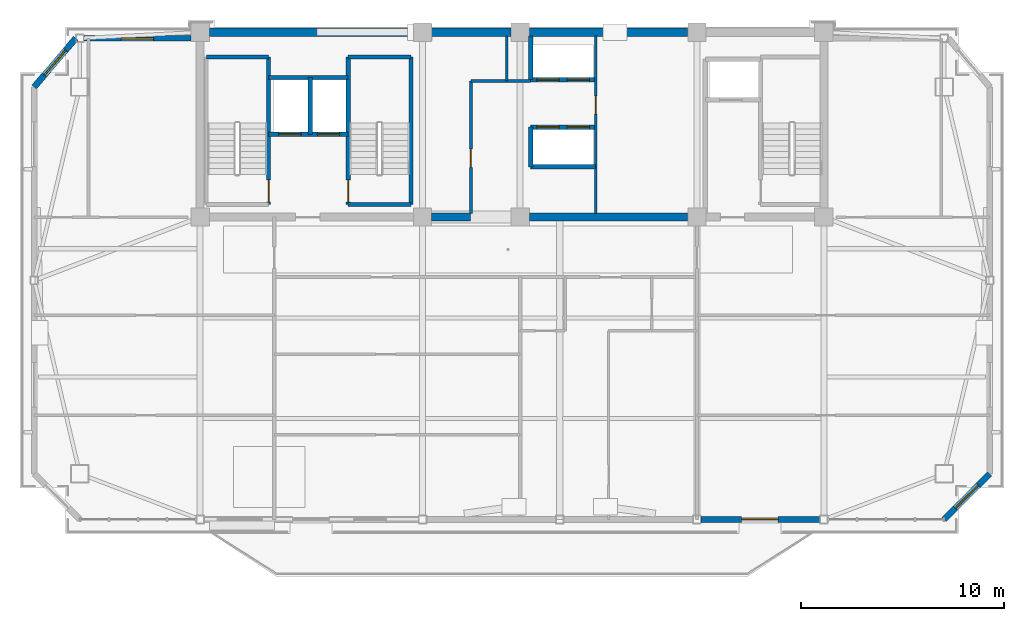
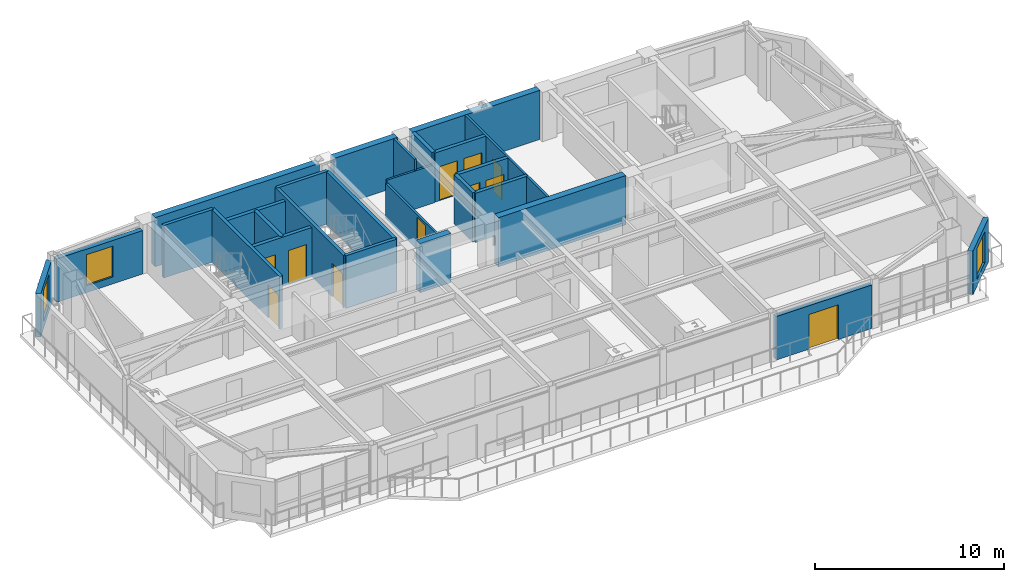
# One storey, part 7 of 12: 27 walls, 11 doors, 3 windows, 14 openings.
"""IFC4 building model written with IfcOpenShell, lengths in metres."""

import ifcopenshell
import ifcopenshell.guid

model = None  # the IFC model being written
_history = None  # IfcOwnerHistory: only IFC2X3 demands one
_inside = {}  # id of a spatial element -> (the spatial element, [elements in it])
_under = {}  # id of a project, library or spatial element -> (it, [spatial elements below it])
_declared = {}  # id of a project -> (the project, [libraries it declares])
_typed = {}  # id of a type object -> (the type object, [elements of that type])
_made_of = {}  # id of a material, layer set ... -> (it, [elements and type objects made of it])


def new_model(schema):
    """Start an empty IFC model of exactly this schema.

    Asked for "IFC4X3", IfcOpenShell would pick the latest addendum, in which some entities
    have other attributes; the version numbers below select the first issue.
    IFC2X3 requires an IfcOwnerHistory on every rooted entity: one is made here for all.
    """
    global model, _history
    if schema == "IFC4X3":
        model = ifcopenshell.file(schema_version=(4, 3, 0, 0))
    else:
        model = ifcopenshell.file(schema=schema)
    _inside.clear()
    _under.clear()
    _declared.clear()
    _typed.clear()
    _made_of.clear()
    _history = None
    if model.schema == "IFC2X3":
        org = make("IfcOrganization", Name="unknown")
        user = make(
            "IfcPersonAndOrganization",
            ThePerson=make("IfcPerson", FamilyName="unknown"),
            TheOrganization=org,
        )
        app = make(
            "IfcApplication",
            ApplicationDeveloper=org,
            Version="unknown",
            ApplicationFullName="unknown",
            ApplicationIdentifier="unknown",
        )
        _history = make(
            "IfcOwnerHistory",
            OwningUser=user,
            OwningApplication=app,
            ChangeAction="ADDED",
            CreationDate=0,
        )
    return model


def make(cls, **values):
    """One entity of the class cls with the attributes given. An attribute that is None is left unset."""
    return model.create_entity(
        cls, **{name: value for name, value in values.items() if value is not None}
    )


def rooted(cls, **values):
    """An entity with a GlobalId (a new one), such as an element, a storey or a relation."""
    return make(cls, GlobalId=ifcopenshell.guid.new(), OwnerHistory=_history, **values)


def si_unit(unit_type, name, prefix=None):
    """IfcSIUnit, for example si_unit("LENGTHUNIT", "METRE", prefix="MILLI")."""
    return make("IfcSIUnit", UnitType=unit_type, Prefix=prefix, Name=name)


def assignment(units):
    """IfcUnitAssignment: the units of a project."""
    return None if units is None else make("IfcUnitAssignment", Units=units)


def point(xyz):
    """IfcCartesianPoint."""
    return None if xyz is None else make("IfcCartesianPoint", Coordinates=xyz)


def direction(xyz):
    """IfcDirection."""
    return None if xyz is None else make("IfcDirection", DirectionRatios=xyz)


def frame(location, z_axis=None, x_axis=None):
    """IfcAxis2Placement3D, a coordinate frame: its origin and axes. An axis left out is left unset."""
    return make(
        "IfcAxis2Placement3D",
        Location=point(location),
        Axis=direction(z_axis),
        RefDirection=direction(x_axis),
    )


def frame_2d(location, x_axis=None):
    """IfcAxis2Placement2D, a coordinate frame in the plane: its origin and x axis."""
    return make(
        "IfcAxis2Placement2D", Location=point(location), RefDirection=direction(x_axis)
    )


def origin():
    """The frame at (0, 0, 0) with its axes left unset."""
    return frame((0.0, 0.0, 0.0))


def place(relative_to, where):
    """IfcLocalPlacement: puts the frame where relative to a parent placement (None: the world)."""
    return make(
        "IfcLocalPlacement", PlacementRelTo=relative_to, RelativePlacement=where
    )


def context(
    kind, dimensions, precision=None, world=None, true_north=None, identifier=None
):
    """IfcGeometricRepresentationContext, for example the 3D "Model" context."""
    return make(
        "IfcGeometricRepresentationContext",
        ContextIdentifier=identifier,
        ContextType=kind,
        CoordinateSpaceDimension=dimensions,
        Precision=precision,
        WorldCoordinateSystem=world,
        TrueNorth=true_north,
    )


def subcontext(parent, identifier, kind, view, scale=None):
    """IfcGeometricRepresentationSubContext, for example "Body" below "Model"."""
    return make(
        "IfcGeometricRepresentationSubContext",
        ContextIdentifier=identifier,
        ContextType=kind,
        ParentContext=parent,
        TargetScale=scale,
        TargetView=view,
    )


def project(units=None, contexts=None):
    """IfcProject with its units and contexts."""
    return rooted(
        "IfcProject",
        Name="project",
        RepresentationContexts=contexts,
        UnitsInContext=assignment(units),
    )


def spatial(cls, under=None, at=None, **own):
    """A site, building, storey or space (cls), placed at a placement, below another one or the project."""
    s = rooted(cls, ObjectPlacement=at, **own)
    if under is not None:
        _under.setdefault(under.id(), (under, []))[1].append(s)
    return s


def profile(cls, at=None, kind="AREA", **sizes):
    """A parametric profile (cls). Its sizes go by their IFC names, for example OverallWidth=200.0."""
    return make(cls, ProfileType=kind, Position=at, **sizes)


def rectangle(**sizes):
    """IfcRectangleProfileDef."""
    return profile("IfcRectangleProfileDef", **sizes)


def extrude(swept, where, along, depth):
    """IfcExtrudedAreaSolid: the profile swept, set in the frame where, extruded along a direction by depth."""
    return make(
        "IfcExtrudedAreaSolid",
        SweptArea=swept,
        Position=where,
        ExtrudedDirection=direction(along),
        Depth=depth,
    )


def shape(context_of_items, identifier, shape_type, items):
    """IfcShapeRepresentation: the items that make up one representation, for example the "Body"."""
    return make(
        "IfcShapeRepresentation",
        ContextOfItems=context_of_items,
        RepresentationIdentifier=identifier,
        RepresentationType=shape_type,
        Items=items,
    )


def source(mapping_origin, context_of_items, identifier, shape_type, items):
    """IfcRepresentationMap: a shape defined once, which mapped items show again and again."""
    return make(
        "IfcRepresentationMap",
        MappingOrigin=mapping_origin,
        MappedRepresentation=shape(context_of_items, identifier, shape_type, items),
    )


def transform(
    local_origin,
    x_axis=None,
    y_axis=None,
    z_axis=None,
    scale=None,
    scale2=None,
    scale3=None,
    uniform=True,
):
    """IfcCartesianTransformationOperator3D, or its non-uniform kind. x_axis, y_axis, z_axis: its Axis1, 2, 3."""
    if uniform:
        return make(
            "IfcCartesianTransformationOperator3D",
            Axis1=direction(x_axis),
            Axis2=direction(y_axis),
            LocalOrigin=point(local_origin),
            Scale=scale,
            Axis3=direction(z_axis),
        )
    return make(
        "IfcCartesianTransformationOperator3DnonUniform",
        Axis1=direction(x_axis),
        Axis2=direction(y_axis),
        LocalOrigin=point(local_origin),
        Scale=scale,
        Axis3=direction(z_axis),
        Scale2=scale2,
        Scale3=scale3,
    )


def mapped(mapping_source, mapping_target):
    """IfcMappedItem: shows the shape of a source again, moved by a transform."""
    return make(
        "IfcMappedItem", MappingSource=mapping_source, MappingTarget=mapping_target
    )


def material(Name=None, Category=None):
    """IfcMaterial."""
    return make("IfcMaterial", Name=Name, Category=Category)


def layer(
    of_material, thickness, ventilated=None, Name=None, Category=None, Priority=None
):
    """IfcMaterialLayer: one layer of a wall or slab, of a material (None: an air gap)."""
    return make(
        "IfcMaterialLayer",
        Material=of_material,
        LayerThickness=thickness,
        IsVentilated=ventilated,
        Name=Name,
        Category=Category,
        Priority=Priority,
    )


def layer_set(layers, Name=None):
    """IfcMaterialLayerSet."""
    return make("IfcMaterialLayerSet", MaterialLayers=layers, LayerSetName=Name)


def made_of(thing, what):
    """Note that an element or type object is made of a material, layer set ...; save() writes the relation."""
    if what is not None:
        _made_of.setdefault(what.id(), (what, []))[1].append(thing)
    return thing


def type_object(cls, material=None, **own):
    """A type object (cls), such as IfcWallType, which elements share."""
    return made_of(rooted(cls, **own), material)


def element(
    cls,
    number,
    at=None,
    inside=None,
    cuts=None,
    type_object=None,
    material=None,
    context=None,
    identifier="Body",
    shape_type=None,
    held_by="IfcProductDefinitionShape",
    body=None,
    shapes=None,
    **own,
):
    """One element of the class cls, such as IfcWall. Its Tag is "e" and its number.

    at: its placement. inside: the storey or other place that contains it. cuts: it is an
    opening in that element (IfcRelVoidsElement). A single representation is given by context,
    identifier, shape_type and body (its items); several are given by shapes. held_by: the class
    of the entity that holds the representations. save() writes the other relations.
    """
    e = rooted(cls, Tag="e%d" % number, ObjectPlacement=at, **own)
    if body is not None:
        shapes = [shape(context, identifier, shape_type, body)]
    if shapes is not None:
        e.Representation = make(held_by, Representations=shapes)
    if inside is not None:
        _inside.setdefault(inside.id(), (inside, []))[1].append(e)
    if cuts is not None:
        rooted(
            "IfcRelVoidsElement", RelatingBuildingElement=cuts, RelatedOpeningElement=e
        )
    if type_object is not None:
        _typed.setdefault(type_object.id(), (type_object, []))[1].append(e)
    return made_of(e, material)


def fill(opening, filler):
    """IfcRelFillsElement: the door or window that sits in an opening."""
    return rooted(
        "IfcRelFillsElement",
        RelatingOpeningElement=opening,
        RelatedBuildingElement=filler,
    )


def aggregate(whole, parts):
    """IfcRelAggregates: a whole, such as a stair, and the parts it consists of."""
    return rooted("IfcRelAggregates", RelatingObject=whole, RelatedObjects=parts)


def save(model, path):
    """Write the relations noted so far, then the file.

    IfcRelAggregates (storeys below a building ...), IfcRelContainedInSpatialStructure (elements
    in a storey), IfcRelDefinesByType, IfcRelAssociatesMaterial and IfcRelDeclares: one each for
    every whole, place, type object, material and project.
    """
    for whole, parts in _under.values():
        aggregate(whole, parts)
    for where, things in _inside.values():
        rooted(
            "IfcRelContainedInSpatialStructure",
            RelatedElements=things,
            RelatingStructure=where,
        )
    for kind, things in _typed.values():
        rooted("IfcRelDefinesByType", RelatedObjects=things, RelatingType=kind)
    for what, things in _made_of.values():
        rooted("IfcRelAssociatesMaterial", RelatedObjects=things, RelatingMaterial=what)
    for by, libraries in _declared.values():
        rooted("IfcRelDeclares", RelatingContext=by, RelatedDefinitions=libraries)
    model.write(path)


model = new_model("IFC4")

# Units and contexts
model_context = context("Model", 3, precision=1e-05, world=origin(), true_north=direction((0.0, 1.0)))
body_context = subcontext(model_context, "Body", "Model", "MODEL_VIEW")
ifc_project = project(units=[si_unit("LENGTHUNIT", "METRE"), si_unit("AREAUNIT", "SQUARE_METRE"), si_unit("VOLUMEUNIT", "CUBIC_METRE"), si_unit("PLANEANGLEUNIT", "RADIAN"), si_unit("MASSUNIT", "GRAM", prefix="KILO")], contexts=[model_context])

# Site, building, storey
site_placement = place(None, origin())
site = spatial("IfcSite", under=ifc_project, at=site_placement, CompositionType="ELEMENT")
building_placement = place(site_placement, origin())
building = spatial("IfcBuilding", under=site, at=building_placement, Name="Giltprow Tower", CompositionType="ELEMENT")
storey_placement = place(building_placement, frame((0.0, 0.0, 339.10009765625)))
storey = spatial("IfcBuildingStorey", under=building, at=storey_placement, Name="L88", CompositionType="ELEMENT", Elevation=339.10009765625)

# Wall, opening, window
ifc_material_1 = material(Name="Precast concrete C40", Category="concrete")
ifc_layer_1 = layer(ifc_material_1, 0.300048828125, Name="Precast concrete C40")
ifc_layer_set_1 = layer_set([ifc_layer_1], Name="Precast concrete C40")
wall_type_1 = type_object("IfcWallType", Name="EW-NOTCH-CHAMFER-300", PredefinedType="SOLIDWALL", material=ifc_layer_set_1)
wall_1_placement = place(storey_placement, frame((56.468994140625, 22.568115234375, 0.0), z_axis=(0.0, 0.0, 1.0), x_axis=(0.707145211947, 0.707068348337, 0.0)))
wall_1 = element("IfcWall", 1, at=wall_1_placement, inside=storey, type_object=wall_type_1, Name="L88 Corner Notch Wall SE", PredefinedType="SOLIDWALL", context=body_context, shape_type="SweptSolid", body=[
    extrude(rectangle(XDim=3.17626953125, YDim=0.300048828125, at=frame_2d((1.588134765625, 0.0))), origin(), (0.0, 0.0, 1.0), 2.81494140625),
])
opening_1_placement = place(wall_1_placement, frame((0.7880859375, 0.0, 0.449951171875)))
opening_1 = element("IfcOpeningElement", 2, at=opening_1_placement, cuts=wall_1, Name="Opening WN17", PredefinedType="OPENING", context=body_context, shape_type="SweptSolid", body=[
    extrude(rectangle(XDim=1.60009765625, YDim=2.0, at=frame_2d((0.800048828125, 1.0))), frame((0.0, 0.159912109375, 0.0), z_axis=(0.0, -1.0, 0.0), x_axis=(1.0, 0.0, 0.0)), (0.0, 0.0, 1.0), 0.320068359375),
])
ifc_material_2 = material(Name="Insulated glass", Category="glass")
window_type = type_object("IfcWindowType", Name="WN-COR-1600x2000", PartitioningType="SINGLE_PANEL", PredefinedType="WINDOW", material=ifc_material_2)
shared_shape_1 = source(origin(), body_context, "Body", "SweptSolid", [
    extrude(rectangle(XDim=1.60009765625, YDim=2.0, at=frame_2d((0.800048828125, 1.0))), frame((0.0, 0.030029296875, 0.0), z_axis=(0.0, -1.0, 0.0), x_axis=(1.0, 0.0, 0.0)), (0.0, 0.0, 1.0), 0.06005859375),
])
window_1_placement = place(opening_1_placement, origin())
window_1 = element("IfcWindow", 3, at=window_1_placement, inside=storey, type_object=window_type, Name="L88 Corner Notch Window SE", OverallHeight=2.0, OverallWidth=1.60009765625, PartitioningType="SINGLE_PANEL", PredefinedType="WINDOW", context=body_context, shape_type="MappedRepresentation", body=[
    mapped(shared_shape_1, transform((0.0, 0.0, 0.0), x_axis=(1.0, 0.0, 0.0), y_axis=(0.0, 1.0, 0.0), z_axis=(0.0, 0.0, 1.0), scale=1.0)),
])
fill(opening_1, window_1)

wall_2_placement = place(storey_placement, frame((13.73095703125, 46.25, 0.0), z_axis=(0.0, 0.0, 1.0), x_axis=(-0.64936076944, -0.760480500153, 0.0)))
wall_2 = element("IfcWall", 4, at=wall_2_placement, inside=storey, type_object=wall_type_1, Name="L88 Corner Notch Wall NW", PredefinedType="SOLIDWALL", context=body_context, shape_type="SweptSolid", body=[
    extrude(rectangle(XDim=3.150634765625, YDim=0.300048828125, at=frame_2d((1.5751953125, 0.0))), origin(), (0.0, 0.0, 1.0), 2.81494140625),
])
opening_2_placement = place(wall_2_placement, frame((0.77490234375, 0.0, 0.449951171875)))
opening_2 = element("IfcOpeningElement", 5, at=opening_2_placement, cuts=wall_2, Name="Opening WN17", PredefinedType="OPENING", context=body_context, shape_type="SweptSolid", body=[
    extrude(rectangle(XDim=1.60009765625, YDim=2.0, at=frame_2d((0.800048828125, 1.0))), frame((0.0, 0.159912109375, 0.0), z_axis=(0.0, -1.0, 0.0), x_axis=(1.0, 0.0, 0.0)), (0.0, 0.0, 1.0), 0.320068359375),
])
window_2_placement = place(opening_2_placement, origin())
window_2 = element("IfcWindow", 6, at=window_2_placement, inside=storey, type_object=window_type, Name="L88 Corner Notch Window NW", OverallHeight=2.0, OverallWidth=1.60009765625, PartitioningType="SINGLE_PANEL", PredefinedType="WINDOW", context=body_context, shape_type="MappedRepresentation", body=[
    mapped(shared_shape_1, transform((0.0, 0.0, 0.0), x_axis=(1.0, 0.0, 0.0), y_axis=(0.0, 1.0, 0.0), z_axis=(0.0, 0.0, 1.0), scale=1.0)),
])
fill(opening_2, window_2)

# Wall, opening, door
ifc_layer_2 = layer(ifc_material_1, 0.280029296875, Name="Precast concrete C40")
ifc_layer_set_2 = layer_set([ifc_layer_2], Name="Precast concrete C40")
wall_type_2 = type_object("IfcWallType", Name="EW-TOW-BRONZE-280", PredefinedType="SOLIDWALL", material=ifc_layer_set_2)
wall_3_placement = place(storey_placement, frame((44.5, 22.568115234375, 0.0), z_axis=(0.0, 0.0, 1.0), x_axis=(1.0, 0.0, 0.0)))
wall_3 = element("IfcWall", 7, at=wall_3_placement, inside=storey, type_object=wall_type_2, Name="L88 South Expressed Frame Wall 5", PredefinedType="SOLIDWALL", context=body_context, shape_type="SweptSolid", body=[
    extrude(rectangle(XDim=5.85009765625, YDim=0.280029296875, at=frame_2d((2.925048828125, 0.0))), origin(), (0.0, 0.0, 1.0), 2.81494140625),
])
opening_3_placement = place(wall_3_placement, frame((2.0, 0.0, 0.0)))
opening_3 = element("IfcOpeningElement", 8, at=opening_3_placement, cuts=wall_3, Name="Opening ED25", PredefinedType="OPENING", context=body_context, shape_type="SweptSolid", body=[
    extrude(rectangle(XDim=1.800048828125, YDim=2.25, at=frame_2d((0.89990234375, 1.125))), frame((0.0, 0.14990234375, 0.0), z_axis=(0.0, -1.0, 0.0), x_axis=(1.0, 0.0, 0.0)), (0.0, 0.0, 1.0), 0.300048828125),
])
ifc_material_3 = material(Name="Anodized bronze and glass", Category="glass")
door_type_1 = type_object("IfcDoorType", Name="DR-BALC-SLIDE-1800", OperationType="SLIDING_TO_LEFT", PredefinedType="DOOR", material=ifc_material_3)
shared_shape_2 = source(origin(), body_context, "Body", "SweptSolid", [
    extrude(rectangle(XDim=1.800048828125, YDim=2.25, at=frame_2d((0.89990234375, 1.125))), frame((0.0, 0.02490234375, 0.0), z_axis=(0.0, -1.0, 0.0), x_axis=(1.0, 0.0, 0.0)), (0.0, 0.0, 1.0), 0.050048828125),
])
door_1_placement = place(opening_3_placement, origin())
door_1 = element("IfcDoor", 9, at=door_1_placement, inside=storey, type_object=door_type_1, Name="L88 Waterfront Balcony Sliding Door 2", OperationType="SLIDING_TO_LEFT", OverallHeight=2.25, OverallWidth=1.800048828125, PredefinedType="DOOR", context=body_context, shape_type="MappedRepresentation", body=[
    mapped(shared_shape_2, transform((0.0, 0.0, 0.0), x_axis=(1.0, 0.0, 0.0), y_axis=(0.0, 1.0, 0.0), z_axis=(0.0, 0.0, 1.0), scale=1.0)),
])
fill(opening_3, door_1)

# Wall, opening, window
wall_4_placement = place(storey_placement, frame((14.131103515625, 46.25, 0.0), z_axis=(0.0, 0.0, 1.0), x_axis=(1.0, 0.0, 0.0)))
wall_4 = element("IfcWall", 10, at=wall_4_placement, inside=storey, type_object=wall_type_2, Name="L88 North-West Wing Wall", PredefinedType="SOLIDWALL", context=body_context, shape_type="SweptSolid", body=[
    extrude(rectangle(XDim=5.268798828125, YDim=0.280029296875, at=frame_2d((2.63427734375, 0.0))), origin(), (0.0, 0.0, 1.0), 2.81494140625),
])
opening_4_placement = place(wall_4_placement, frame((1.833984375, 0.0, 0.449951171875)))
opening_4 = element("IfcOpeningElement", 11, at=opening_4_placement, cuts=wall_4, Name="Opening WN17", PredefinedType="OPENING", context=body_context, shape_type="SweptSolid", body=[
    extrude(rectangle(XDim=1.60009765625, YDim=2.0, at=frame_2d((0.800048828125, 1.0))), frame((0.0, 0.14990234375, 0.0), z_axis=(0.0, -1.0, 0.0), x_axis=(1.0, 0.0, 0.0)), (0.0, 0.0, 1.0), 0.300048828125),
])
window_3_placement = place(opening_4_placement, origin())
window_3 = element("IfcWindow", 12, at=window_3_placement, inside=storey, type_object=window_type, Name="L88 North-West Window", OverallHeight=2.0, OverallWidth=1.60009765625, PartitioningType="SINGLE_PANEL", PredefinedType="WINDOW", context=body_context, shape_type="MappedRepresentation", body=[
    mapped(shared_shape_1, transform((0.0, 0.0, 0.0), x_axis=(1.0, 0.0, 0.0), y_axis=(0.0, 1.0, 0.0), z_axis=(0.0, 0.0, 1.0), scale=1.0)),
])
fill(opening_4, window_3)

# Wall, openings, doors
ifc_material_4 = material(Name="Concrete C40", Category="concrete")
ifc_layer_3 = layer(ifc_material_4, 0.219970703125, Name="Concrete C40")
ifc_layer_set_3 = layer_set([ifc_layer_3], Name="Concrete C40")
wall_type_3 = type_object("IfcWallType", Name="IW-SHAFT-220", PredefinedType="SOLIDWALL", material=ifc_layer_set_3)
wall_5_placement = place(storey_placement, frame((23.219970703125, 41.52001953125, 0.0), z_axis=(0.0, 0.0, 1.0), x_axis=(1.0, 0.0, 0.0)))
wall_5 = element("IfcWall", 13, at=wall_5_placement, inside=storey, type_object=wall_type_3, Name="L88 FFL1 and Service Lift Front Wall", PredefinedType="SOLIDWALL", context=body_context, shape_type="SweptSolid", body=[
    extrude(rectangle(XDim=3.919921875, YDim=0.219970703125, at=frame_2d((1.9599609375, 0.0))), origin(), (0.0, 0.0, 1.0), 3.184814453125),
])
opening_5_placement = place(wall_5_placement, frame((0.5, 0.0, 0.0)))
opening_5 = element("IfcOpeningElement", 14, at=opening_5_placement, cuts=wall_5, Name="Opening LD-11", PredefinedType="OPENING", context=body_context, shape_type="SweptSolid", body=[
    extrude(rectangle(XDim=1.10009765625, YDim=2.199951171875, at=frame_2d((0.550048828125, 1.10009765625))), frame((0.0, 0.119873046875, 0.0), z_axis=(0.0, -1.0, 0.0), x_axis=(1.0, 0.0, 0.0)), (0.0, 0.0, 1.0), 0.239990234375),
])
opening_6_placement = place(wall_5_placement, frame((2.39990234375, 0.0, 0.0)))
opening_6 = element("IfcOpeningElement", 15, at=opening_6_placement, cuts=wall_5, Name="Opening LD-11", PredefinedType="OPENING", context=body_context, shape_type="SweptSolid", body=[
    extrude(rectangle(XDim=1.10009765625, YDim=2.199951171875, at=frame_2d((0.550048828125, 1.10009765625))), frame((0.0, 0.119873046875, 0.0), z_axis=(0.0, -1.0, 0.0), x_axis=(1.0, 0.0, 0.0)), (0.0, 0.0, 1.0), 0.239990234375),
])
ifc_material_5 = material(Name="Stainless steel", Category="steel")
door_type_2 = type_object("IfcDoorType", Name="DR-LIFT-LD1100", OperationType="SLIDING_TO_LEFT", PredefinedType="DOOR", material=ifc_material_5)
shared_shape_3 = source(origin(), body_context, "Body", "SweptSolid", [
    extrude(rectangle(XDim=1.10009765625, YDim=2.199951171875, at=frame_2d((0.550048828125, 1.10009765625))), frame((0.0, 0.02490234375, 0.0), z_axis=(0.0, -1.0, 0.0), x_axis=(1.0, 0.0, 0.0)), (0.0, 0.0, 1.0), 0.050048828125),
])
door_2_placement = place(opening_5_placement, origin())
door_2 = element("IfcDoor", 16, at=door_2_placement, inside=storey, type_object=door_type_2, Name="L88 FFL1 Landing Door", OperationType="SLIDING_TO_LEFT", OverallHeight=2.199951171875, OverallWidth=1.10009765625, PredefinedType="DOOR", context=body_context, shape_type="MappedRepresentation", body=[
    mapped(shared_shape_3, transform((0.0, 0.0, 0.0), x_axis=(1.0, 0.0, 0.0), y_axis=(0.0, 1.0, 0.0), z_axis=(0.0, 0.0, 1.0), scale=1.0)),
])
fill(opening_5, door_2)
door_3_placement = place(opening_6_placement, origin())
door_3 = element("IfcDoor", 17, at=door_3_placement, inside=storey, type_object=door_type_2, Name="L88 SVL1 Landing Door", OperationType="SLIDING_TO_LEFT", OverallHeight=2.199951171875, OverallWidth=1.10009765625, PredefinedType="DOOR", context=body_context, shape_type="MappedRepresentation", body=[
    mapped(shared_shape_3, transform((0.0, 0.0, 0.0), x_axis=(1.0, 0.0, 0.0), y_axis=(0.0, 1.0, 0.0), z_axis=(0.0, 0.0, 1.0), scale=1.0)),
])
fill(opening_6, door_3)

# Walls
wall_6_placement = place(storey_placement, frame((25.260009765625, 41.52001953125, 0.0), z_axis=(0.0, 0.0, 1.0), x_axis=(0.0, 1.0, 0.0)))
element("IfcWall", 18, at=wall_6_placement, inside=storey, type_object=wall_type_3, Name="L88 FFL1-SVL1 Shaft Divider", PredefinedType="SOLIDWALL", context=body_context, shape_type="SweptSolid", body=[
    extrude(rectangle(XDim=2.800048828125, YDim=0.219970703125, at=frame_2d((1.39990234375, 0.0))), origin(), (0.0, 0.0, 1.0), 3.184814453125),
])
wall_7_placement = place(storey_placement, frame((23.219970703125, 44.320068359375, 0.0), z_axis=(0.0, 0.0, 1.0), x_axis=(1.0, 0.0, 0.0)))
element("IfcWall", 19, at=wall_7_placement, inside=storey, type_object=wall_type_3, Name="L88 FFL1-SVL1 Back Shaft Wall", PredefinedType="SOLIDWALL", context=body_context, shape_type="SweptSolid", body=[
    extrude(rectangle(XDim=3.919921875, YDim=0.219970703125, at=frame_2d((1.9599609375, 0.0))), origin(), (0.0, 0.0, 1.0), 3.184814453125),
])

# Wall, openings, doors
wall_8_placement = place(storey_placement, frame((36.1201171875, 44.219970703125, 0.0), z_axis=(0.0, 0.0, 1.0), x_axis=(1.0, 0.0, 0.0)))
wall_8 = element("IfcWall", 20, at=wall_8_placement, inside=storey, type_object=wall_type_3, Name="L88 High-Rise Lift Shaft Front Wall N", PredefinedType="SOLIDWALL", context=body_context, shape_type="SweptSolid", body=[
    extrude(rectangle(XDim=3.199951171875, YDim=0.219970703125, at=frame_2d((1.60009765625, 0.0))), origin(), (0.0, 0.0, 1.0), 3.184814453125),
])
opening_7_placement = place(wall_8_placement, frame((0.300048828125, 0.0, 0.0)))
opening_7 = element("IfcOpeningElement", 21, at=opening_7_placement, cuts=wall_8, Name="Opening LD-11", PredefinedType="OPENING", context=body_context, shape_type="SweptSolid", body=[
    extrude(rectangle(XDim=1.10009765625, YDim=2.199951171875, at=frame_2d((0.550048828125, 1.10009765625))), frame((0.0, 0.119873046875, 0.0), z_axis=(0.0, -1.0, 0.0), x_axis=(1.0, 0.0, 0.0)), (0.0, 0.0, 1.0), 0.239990234375),
])
opening_8_placement = place(wall_8_placement, frame((1.7900390625, 0.0, 0.0)))
opening_8 = element("IfcOpeningElement", 22, at=opening_8_placement, cuts=wall_8, Name="Opening LD-11", PredefinedType="OPENING", context=body_context, shape_type="SweptSolid", body=[
    extrude(rectangle(XDim=1.10009765625, YDim=2.199951171875, at=frame_2d((0.550048828125, 1.10009765625))), frame((0.0, 0.119873046875, 0.0), z_axis=(0.0, -1.0, 0.0), x_axis=(1.0, 0.0, 0.0)), (0.0, 0.0, 1.0), 0.239990234375),
])
door_4_placement = place(opening_7_placement, origin())
door_4 = element("IfcDoor", 23, at=door_4_placement, inside=storey, type_object=door_type_2, Name="L88 PL-H1 Landing Door", OperationType="SLIDING_TO_LEFT", OverallHeight=2.199951171875, OverallWidth=1.10009765625, PredefinedType="DOOR", context=body_context, shape_type="MappedRepresentation", body=[
    mapped(shared_shape_3, transform((0.0, 0.0, 0.0), x_axis=(1.0, 0.0, 0.0), y_axis=(0.0, 1.0, 0.0), z_axis=(0.0, 0.0, 1.0), scale=1.0)),
])
fill(opening_7, door_4)
door_5_placement = place(opening_8_placement, origin())
door_5 = element("IfcDoor", 24, at=door_5_placement, inside=storey, type_object=door_type_2, Name="L88 PL-H2 Landing Door", OperationType="SLIDING_TO_LEFT", OverallHeight=2.199951171875, OverallWidth=1.10009765625, PredefinedType="DOOR", context=body_context, shape_type="MappedRepresentation", body=[
    mapped(shared_shape_3, transform((0.0, 0.0, 0.0), x_axis=(1.0, 0.0, 0.0), y_axis=(0.0, 1.0, 0.0), z_axis=(0.0, 0.0, 1.0), scale=1.0)),
])
fill(opening_8, door_5)

wall_9_placement = place(storey_placement, frame((36.1201171875, 41.8798828125, 0.0), z_axis=(0.0, 0.0, 1.0), x_axis=(1.0, 0.0, 0.0)))
wall_9 = element("IfcWall", 25, at=wall_9_placement, inside=storey, type_object=wall_type_3, Name="L88 High-Rise Lift Shaft Front Wall S", PredefinedType="SOLIDWALL", context=body_context, shape_type="SweptSolid", body=[
    extrude(rectangle(XDim=3.199951171875, YDim=0.219970703125, at=frame_2d((1.60009765625, 0.0))), origin(), (0.0, 0.0, 1.0), 3.184814453125),
])
opening_9_placement = place(wall_9_placement, frame((0.300048828125, 0.0, 0.0)))
opening_9 = element("IfcOpeningElement", 26, at=opening_9_placement, cuts=wall_9, Name="Opening LD-11", PredefinedType="OPENING", context=body_context, shape_type="SweptSolid", body=[
    extrude(rectangle(XDim=1.10009765625, YDim=2.199951171875, at=frame_2d((0.550048828125, 1.10009765625))), frame((0.0, 0.119873046875, 0.0), z_axis=(0.0, -1.0, 0.0), x_axis=(1.0, 0.0, 0.0)), (0.0, 0.0, 1.0), 0.239990234375),
])
opening_10_placement = place(wall_9_placement, frame((1.7900390625, 0.0, 0.0)))
opening_10 = element("IfcOpeningElement", 27, at=opening_10_placement, cuts=wall_9, Name="Opening LD-11", PredefinedType="OPENING", context=body_context, shape_type="SweptSolid", body=[
    extrude(rectangle(XDim=1.10009765625, YDim=2.199951171875, at=frame_2d((0.550048828125, 1.10009765625))), frame((0.0, 0.119873046875, 0.0), z_axis=(0.0, -1.0, 0.0), x_axis=(1.0, 0.0, 0.0)), (0.0, 0.0, 1.0), 0.239990234375),
])
door_6_placement = place(opening_9_placement, origin())
door_6 = element("IfcDoor", 28, at=door_6_placement, inside=storey, type_object=door_type_2, Name="L88 PL-H3 Landing Door", OperationType="SLIDING_TO_LEFT", OverallHeight=2.199951171875, OverallWidth=1.10009765625, PredefinedType="DOOR", context=body_context, shape_type="MappedRepresentation", body=[
    mapped(shared_shape_3, transform((0.0, 0.0, 0.0), x_axis=(1.0, 0.0, 0.0), y_axis=(0.0, 1.0, 0.0), z_axis=(0.0, 0.0, 1.0), scale=1.0)),
])
fill(opening_9, door_6)
door_7_placement = place(opening_10_placement, origin())
door_7 = element("IfcDoor", 29, at=door_7_placement, inside=storey, type_object=door_type_2, Name="L88 PL-H4 Landing Door", OperationType="SLIDING_TO_LEFT", OverallHeight=2.199951171875, OverallWidth=1.10009765625, PredefinedType="DOOR", context=body_context, shape_type="MappedRepresentation", body=[
    mapped(shared_shape_3, transform((0.0, 0.0, 0.0), x_axis=(1.0, 0.0, 0.0), y_axis=(0.0, 1.0, 0.0), z_axis=(0.0, 0.0, 1.0), scale=1.0)),
])
fill(opening_10, door_7)

# Walls
wall_10_placement = place(storey_placement, frame((36.1201171875, 39.919921875, 0.0), z_axis=(0.0, 0.0, 1.0), x_axis=(1.0, 0.0, 0.0)))
element("IfcWall", 30, at=wall_10_placement, inside=storey, type_object=wall_type_3, Name="L88 High-Rise South Lift Back Wall", PredefinedType="SOLIDWALL", context=body_context, shape_type="SweptSolid", body=[
    extrude(rectangle(XDim=3.199951171875, YDim=0.219970703125, at=frame_2d((1.60009765625, 0.0))), origin(), (0.0, 0.0, 1.0), 3.184814453125),
])
wall_11_placement = place(storey_placement, frame((36.1201171875, 39.919921875, 0.0), z_axis=(0.0, 0.0, 1.0), x_axis=(0.0, 1.0, 0.0)))
element("IfcWall", 31, at=wall_11_placement, inside=storey, type_object=wall_type_3, Name="L88 High-Rise South Lift West Closure", PredefinedType="SOLIDWALL", context=body_context, shape_type="SweptSolid", body=[
    extrude(rectangle(XDim=1.9599609375, YDim=0.219970703125, at=frame_2d((0.97998046875, 0.0))), origin(), (0.0, 0.0, 1.0), 3.184814453125),
])
wall_12_placement = place(storey_placement, frame((36.1201171875, 44.219970703125, 0.0), z_axis=(0.0, 0.0, 1.0), x_axis=(0.0, 1.0, 0.0)))
element("IfcWall", 32, at=wall_12_placement, inside=storey, type_object=wall_type_3, Name="L88 High-Rise North Lift West Closure", PredefinedType="SOLIDWALL", context=body_context, shape_type="SweptSolid", body=[
    extrude(rectangle(XDim=2.150146484375, YDim=0.219970703125, at=frame_2d((1.0751953125, 0.0))), origin(), (0.0, 0.0, 1.0), 3.184814453125),
])

# Wall, opening, door
ifc_layer_4 = layer(ifc_material_4, 0.199951171875, Name="Concrete C40")
ifc_layer_set_4 = layer_set([ifc_layer_4], Name="Concrete C40")
wall_type_4 = type_object("IfcWallType", Name="IW-STAIR-200", PredefinedType="SOLIDWALL", material=ifc_layer_set_4)
wall_13_placement = place(storey_placement, frame((23.219970703125, 38.070068359375, 0.0), z_axis=(0.0, 0.0, 1.0), x_axis=(0.0, 1.0, 0.0)))
wall_13 = element("IfcWall", 33, at=wall_13_placement, inside=storey, type_object=wall_type_4, Name="L88 Stair ST-1 East Bearing Wall", PredefinedType="SOLIDWALL", context=body_context, shape_type="SweptSolid", body=[
    extrude(rectangle(XDim=7.25, YDim=0.199951171875, at=frame_2d((3.625, 0.0))), origin(), (0.0, 0.0, 1.0), 3.39990234375),
])
opening_11_placement = place(wall_13_placement, frame((0.110107421875, 0.0, 0.0)))
opening_11 = element("IfcOpeningElement", 34, at=opening_11_placement, cuts=wall_13, Name="Opening ID33", PredefinedType="OPENING", context=body_context, shape_type="SweptSolid", body=[
    extrude(rectangle(XDim=1.10009765625, YDim=2.14990234375, at=frame_2d((0.550048828125, 1.074951171875))), frame((0.0, 0.10986328125, 0.0), z_axis=(0.0, -1.0, 0.0), x_axis=(1.0, 0.0, 0.0)), (0.0, 0.0, 1.0), 0.219970703125),
])
ifc_material_6 = material(Name="Steel fire leaf", Category="steel")
door_type_3 = type_object("IfcDoorType", Name="DR-STAIR-1100", OperationType="SINGLE_SWING_LEFT", PredefinedType="DOOR", material=ifc_material_6)
shared_shape_4 = source(origin(), body_context, "Body", "SweptSolid", [
    extrude(rectangle(XDim=1.10009765625, YDim=2.14990234375, at=frame_2d((0.550048828125, 1.074951171875))), frame((0.0, 0.02490234375, 0.0), z_axis=(0.0, -1.0, 0.0), x_axis=(1.0, 0.0, 0.0)), (0.0, 0.0, 1.0), 0.050048828125),
])
door_8_placement = place(opening_11_placement, origin())
door_8 = element("IfcDoor", 35, at=door_8_placement, inside=storey, type_object=door_type_3, Name="L88 Stair ST-1 Fire Door", OperationType="SINGLE_SWING_LEFT", OverallHeight=2.14990234375, OverallWidth=1.10009765625, PredefinedType="DOOR", context=body_context, shape_type="MappedRepresentation", body=[
    mapped(shared_shape_4, transform((0.0, 0.0, 0.0), x_axis=(1.0, 0.0, 0.0), y_axis=(0.0, 1.0, 0.0), z_axis=(0.0, 0.0, 1.0), scale=1.0)),
])
fill(opening_11, door_8)

# Wall
wall_14_placement = place(storey_placement, frame((20.169921875, 45.320068359375, 0.0), z_axis=(0.0, 0.0, 1.0), x_axis=(1.0, 0.0, 0.0)))
element("IfcWall", 36, at=wall_14_placement, inside=storey, type_object=wall_type_4, Name="L88 Stair ST-1 North Bearing Wall", PredefinedType="SOLIDWALL", context=body_context, shape_type="SweptSolid", body=[
    extrude(rectangle(XDim=3.050048828125, YDim=0.199951171875, at=frame_2d((1.52490234375, 0.0))), origin(), (0.0, 0.0, 1.0), 3.39990234375),
])

# Wall, opening, door
wall_15_placement = place(storey_placement, frame((27.139892578125, 38.070068359375, 0.0), z_axis=(0.0, 0.0, 1.0), x_axis=(0.0, 1.0, 0.0)))
wall_15 = element("IfcWall", 37, at=wall_15_placement, inside=storey, type_object=wall_type_4, Name="L88 Stair ST-2 West Bearing Wall", PredefinedType="SOLIDWALL", context=body_context, shape_type="SweptSolid", body=[
    extrude(rectangle(XDim=7.25, YDim=0.199951171875, at=frame_2d((3.625, 0.0))), origin(), (0.0, 0.0, 1.0), 3.39990234375),
])
opening_12_placement = place(wall_15_placement, frame((0.110107421875, 0.0, 0.0)))
opening_12 = element("IfcOpeningElement", 38, at=opening_12_placement, cuts=wall_15, Name="Opening ID33", PredefinedType="OPENING", context=body_context, shape_type="SweptSolid", body=[
    extrude(rectangle(XDim=1.10009765625, YDim=2.14990234375, at=frame_2d((0.550048828125, 1.074951171875))), frame((0.0, 0.10986328125, 0.0), z_axis=(0.0, -1.0, 0.0), x_axis=(1.0, 0.0, 0.0)), (0.0, 0.0, 1.0), 0.219970703125),
])
door_9_placement = place(opening_12_placement, origin())
door_9 = element("IfcDoor", 39, at=door_9_placement, inside=storey, type_object=door_type_3, Name="L88 Stair ST-2 Fire Door", OperationType="SINGLE_SWING_RIGHT", OverallHeight=2.14990234375, OverallWidth=1.10009765625, PredefinedType="DOOR", context=body_context, shape_type="MappedRepresentation", body=[
    mapped(shared_shape_4, transform((0.0, 0.0, 0.0), x_axis=(1.0, 0.0, 0.0), y_axis=(0.0, 1.0, 0.0), z_axis=(0.0, 0.0, 1.0), scale=1.0)),
])
fill(opening_12, door_9)

# Walls
wall_16_placement = place(storey_placement, frame((30.219970703125, 38.070068359375, 0.0), z_axis=(0.0, 0.0, 1.0), x_axis=(0.0, 1.0, 0.0)))
element("IfcWall", 40, at=wall_16_placement, inside=storey, type_object=wall_type_4, Name="L88 Stair ST-2 East Bearing Wall", PredefinedType="SOLIDWALL", context=body_context, shape_type="SweptSolid", body=[
    extrude(rectangle(XDim=7.25, YDim=0.199951171875, at=frame_2d((3.625, 0.0))), origin(), (0.0, 0.0, 1.0), 3.39990234375),
])
for number, where, z_axis, x_axis, name in (
    (41, (27.139892578125, 45.320068359375, 0.0), (0.0, 0.0, 1.0), (1.0, 0.0, 0.0), "L88 Stair ST-2 North Bearing Wall"),
    (42, (27.139892578125, 38.070068359375, 0.0), (0.0, 0.0, 1.0), (1.0, 0.0, 0.0), "L88 Stair ST-2 South Bearing Wall"),
):
    element("IfcWall", number, at=place(storey_placement, frame(where, z_axis=z_axis, x_axis=x_axis)), inside=storey, type_object=wall_type_4, Name=name, PredefinedType="SOLIDWALL", context=body_context, shape_type="SweptSolid", body=[
        extrude(rectangle(XDim=3.080078125, YDim=0.199951171875, at=frame_2d((1.5400390625, 0.0))), origin(), (0.0, 0.0, 1.0), 3.39990234375),
    ])

# Wall, opening, door
ifc_material_7 = material(Name="Concrete C30", Category="concrete")
ifc_layer_5 = layer(ifc_material_7, 0.1298828125, Name="Concrete C30")
ifc_layer_set_5 = layer_set([ifc_layer_5], Name="Concrete C30")
wall_type_5 = type_object("IfcWallType", Name="IW-WET-130", PredefinedType="PARTITIONING", material=ifc_layer_set_5)
wall_17_placement = place(storey_placement, frame((33.179931640625, 37.6298828125, 0.0), z_axis=(0.0, 0.0, 1.0), x_axis=(0.0, 1.0, 0.0)))
wall_17 = element("IfcWall", 43, at=wall_17_placement, inside=storey, type_object=wall_type_5, Name="L88 Reclaimed West Core Wall", PredefinedType="PARTITIONING", context=body_context, shape_type="SweptSolid", body=[
    extrude(rectangle(XDim=6.52001953125, YDim=0.1298828125, at=frame_2d((3.260009765625, 0.0))), origin(), (0.0, 0.0, 1.0), 2.27001953125),
])
opening_13_placement = place(wall_17_placement, frame((2.27001953125, 0.0, 0.0)))
opening_13 = element("IfcOpeningElement", 44, at=opening_13_placement, cuts=wall_17, Name="Opening ID35", PredefinedType="OPENING", context=body_context, shape_type="SweptSolid", body=[
    extrude(rectangle(XDim=0.89990234375, YDim=2.10009765625, at=frame_2d((0.449951171875, 1.050048828125))), frame((0.0, 0.074951171875, 0.0), z_axis=(0.0, -1.0, 0.0), x_axis=(1.0, 0.0, 0.0)), (0.0, 0.0, 1.0), 0.14990234375),
])
door_type_4 = type_object("IfcDoorType", Name="DR-SHAFT-900", OperationType="SINGLE_SWING_LEFT", PredefinedType="DOOR", material=ifc_material_6)
shared_shape_5 = source(origin(), body_context, "Body", "SweptSolid", [
    extrude(rectangle(XDim=0.89990234375, YDim=2.10009765625, at=frame_2d((0.449951171875, 1.050048828125))), frame((0.0, 0.02490234375, 0.0), z_axis=(0.0, -1.0, 0.0), x_axis=(1.0, 0.0, 0.0)), (0.0, 0.0, 1.0), 0.050048828125),
])
door_10_placement = place(opening_13_placement, origin())
door_10 = element("IfcDoor", 45, at=door_10_placement, inside=storey, type_object=door_type_4, Name="L88 Core Accessible Washroom Door", OperationType="SINGLE_SWING_RIGHT", OverallHeight=2.10009765625, OverallWidth=0.89990234375, PredefinedType="DOOR", context=body_context, shape_type="MappedRepresentation", body=[
    mapped(shared_shape_5, transform((0.0, 0.0, 0.0), x_axis=(1.0, 0.0, 0.0), y_axis=(0.0, 1.0, 0.0), z_axis=(0.0, 0.0, 1.0), scale=1.0)),
])
fill(opening_13, door_10)

# Walls
wall_18_placement = place(storey_placement, frame((34.949951171875, 44.14990234375, 0.0), z_axis=(0.0, 0.0, 1.0), x_axis=(0.0, 1.0, 0.0)))
element("IfcWall", 46, at=wall_18_placement, inside=storey, type_object=wall_type_5, Name="L88 Reclaimed West Pocket Wall E", PredefinedType="PARTITIONING", context=body_context, shape_type="SweptSolid", body=[
    extrude(rectangle(XDim=2.22021484375, YDim=0.1298828125, at=frame_2d((1.110107421875, 0.0))), origin(), (0.0, 0.0, 1.0), 3.184814453125),
])
wall_19_placement = place(storey_placement, frame((33.179931640625, 44.14990234375, 0.0), z_axis=(0.0, 0.0, 1.0), x_axis=(1.0, 0.0, 0.0)))
element("IfcWall", 47, at=wall_19_placement, inside=storey, type_object=wall_type_5, Name="L88 Reclaimed West Pocket Wall S", PredefinedType="PARTITIONING", context=body_context, shape_type="SweptSolid", body=[
    extrude(rectangle(XDim=2.940185546875, YDim=0.1298828125, at=frame_2d((1.47021484375, 0.0))), origin(), (0.0, 0.0, 1.0), 2.469970703125),
])

# Wall, opening, door
wall_20_placement = place(storey_placement, frame((39.320068359375, 37.6298828125, 0.0), z_axis=(0.0, 0.0, 1.0), x_axis=(0.0, 1.0, 0.0)))
wall_20 = element("IfcWall", 48, at=wall_20_placement, inside=storey, type_object=wall_type_5, Name="L88 Reclaimed East Core Wall", PredefinedType="PARTITIONING", context=body_context, shape_type="SweptSolid", body=[
    extrude(rectangle(XDim=8.740234375, YDim=0.1298828125, at=frame_2d((4.3701171875, 0.0))), origin(), (0.0, 0.0, 1.0), 3.184814453125),
])
opening_14_placement = place(wall_20_placement, frame((4.889892578125, 0.0, 0.0)))
opening_14 = element("IfcOpeningElement", 49, at=opening_14_placement, cuts=wall_20, Name="Opening ID35", PredefinedType="OPENING", context=body_context, shape_type="SweptSolid", body=[
    extrude(rectangle(XDim=0.89990234375, YDim=2.10009765625, at=frame_2d((0.449951171875, 1.050048828125))), frame((0.0, 0.074951171875, 0.0), z_axis=(0.0, -1.0, 0.0), x_axis=(1.0, 0.0, 0.0)), (0.0, 0.0, 1.0), 0.14990234375),
])
door_11_placement = place(opening_14_placement, origin())
door_11 = element("IfcDoor", 50, at=door_11_placement, inside=storey, type_object=door_type_4, Name="L88 Core Concierge Parcel Store Door", OperationType="SINGLE_SWING_LEFT", OverallHeight=2.10009765625, OverallWidth=0.89990234375, PredefinedType="DOOR", context=body_context, shape_type="MappedRepresentation", body=[
    mapped(shared_shape_5, transform((0.0, 0.0, 0.0), x_axis=(1.0, 0.0, 0.0), y_axis=(0.0, 1.0, 0.0), z_axis=(0.0, 0.0, 1.0), scale=1.0)),
])
fill(opening_14, door_11)

# Walls
ifc_material_8 = material(Name="Concrete C45", Category="concrete")
ifc_layer_6 = layer(ifc_material_8, 0.39990234375, Name="Concrete C45")
ifc_layer_set_6 = layer_set([ifc_layer_6], Name="Concrete C45")
wall_type_6 = type_object("IfcWallType", Name="SW-EXT-400-C45", PredefinedType="SHEAR", material=ifc_layer_set_6)
wall_21_placement = place(storey_placement, frame((20.300048828125, 46.550048828125, 0.0), z_axis=(0.0, 0.0, 1.0), x_axis=(1.0, 0.0, 0.0)))
element("IfcWall", 51, at=wall_21_placement, inside=storey, type_object=wall_type_6, Name="L88 North Rear Core Shear Wall 1", PredefinedType="SHEAR", context=body_context, shape_type="SweptSolid", body=[
    extrude(rectangle(XDim=10.050048828125, YDim=0.39990234375, at=frame_2d((5.02490234375, 0.0))), origin(), (0.0, 0.0, 1.0), 3.184814453125),
])
wall_22_placement = place(storey_placement, frame((31.25, 46.550048828125, 0.0), z_axis=(0.0, 0.0, 1.0), x_axis=(1.0, 0.0, 0.0)))
element("IfcWall", 52, at=wall_22_placement, inside=storey, type_object=wall_type_6, Name="L88 North Rear Core Shear Wall 2", PredefinedType="SHEAR", context=body_context, shape_type="SweptSolid", body=[
    extrude(rectangle(XDim=3.89990234375, YDim=0.39990234375, at=frame_2d((1.949951171875, 0.0))), origin(), (0.0, 0.0, 1.0), 3.184814453125),
])
wall_23_placement = place(storey_placement, frame((36.050048828125, 46.550048828125, 0.0), z_axis=(0.0, 0.0, 1.0), x_axis=(1.0, 0.0, 0.0)))
element("IfcWall", 53, at=wall_23_placement, inside=storey, type_object=wall_type_6, Name="L88 North Rear Core Shear Wall 3", PredefinedType="SHEAR", context=body_context, shape_type="SweptSolid", body=[
    extrude(rectangle(XDim=7.800048828125, YDim=0.39990234375, at=frame_2d((3.89990234375, 0.0))), origin(), (0.0, 0.0, 1.0), 3.184814453125),
])
ifc_layer_7 = layer(ifc_material_8, 0.39990234375, Name="Concrete C45")
ifc_layer_set_7 = layer_set([ifc_layer_7], Name="Concrete C45")
wall_type_7 = type_object("IfcWallType", Name="SW-INT-400-C45", PredefinedType="SHEAR", material=ifc_layer_set_7)
wall_24_placement = place(storey_placement, frame((31.25, 37.449951171875, 0.0), z_axis=(0.0, 0.0, 1.0), x_axis=(1.0, 0.0, 0.0)))
element("IfcWall", 54, at=wall_24_placement, inside=storey, type_object=wall_type_7, Name="L88 South Rear Core Shear Wall Mid-West", PredefinedType="SHEAR", context=body_context, shape_type="SweptSolid", body=[
    extrude(rectangle(XDim=1.89990234375, YDim=0.39990234375, at=frame_2d((0.949951171875, 0.0))), origin(), (0.0, 0.0, 1.0), 3.184814453125),
])
wall_25_placement = place(storey_placement, frame((36.050048828125, 37.449951171875, 0.0), z_axis=(0.0, 0.0, 1.0), x_axis=(1.0, 0.0, 0.0)))
element("IfcWall", 55, at=wall_25_placement, inside=storey, type_object=wall_type_7, Name="L88 South Rear Core Shear Wall Mid-East", PredefinedType="SHEAR", context=body_context, shape_type="SweptSolid", body=[
    extrude(rectangle(XDim=7.800048828125, YDim=0.39990234375, at=frame_2d((3.89990234375, 0.0))), origin(), (0.0, 0.0, 1.0), 3.184814453125),
])

save(model, "model.ifc")
